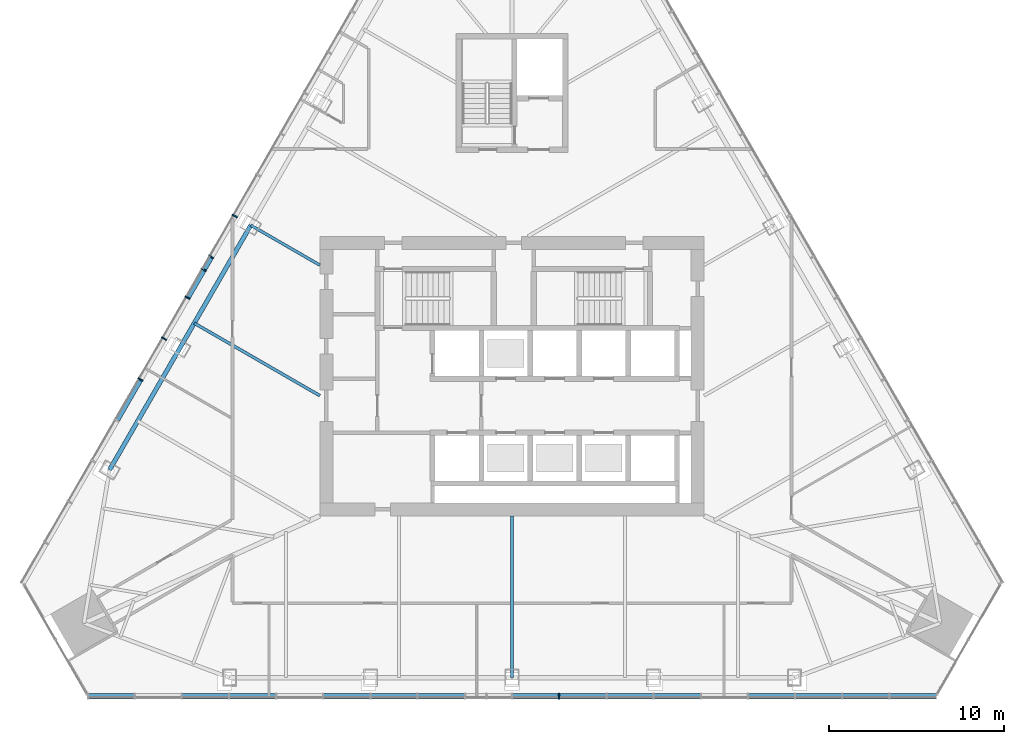
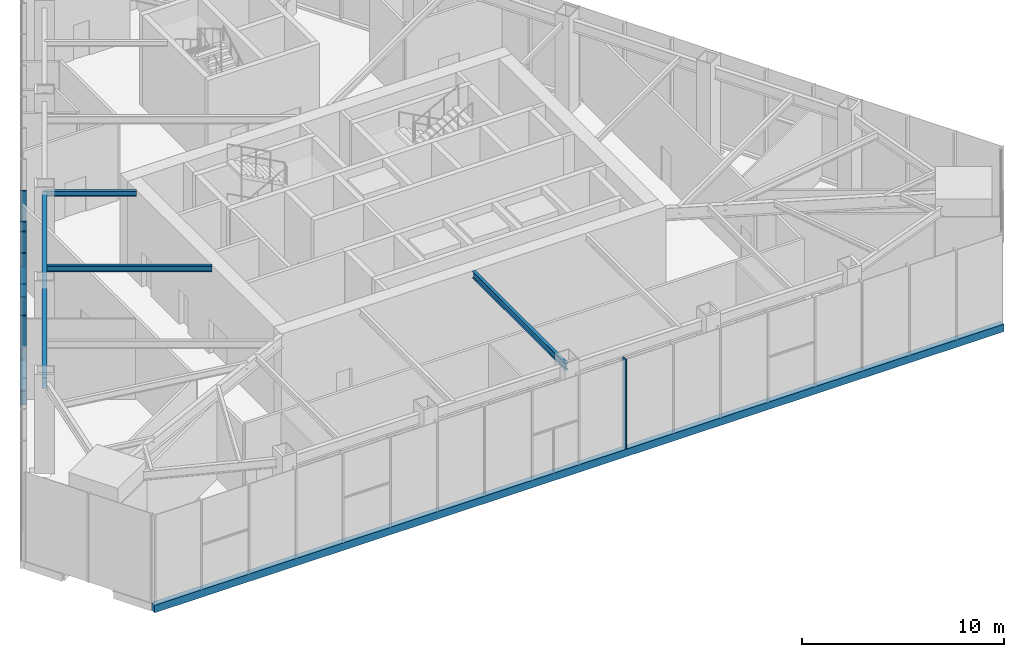
# One storey, part 3 of 16: 10 members, 4 beams, 2 elements without a shape of their own.
"""IFC4 building model written with IfcOpenShell, lengths in metres."""

import ifcopenshell
import ifcopenshell.guid

model = None  # the IFC model being written
_history = None  # IfcOwnerHistory: only IFC2X3 demands one
_inside = {}  # id of a spatial element -> (the spatial element, [elements in it])
_under = {}  # id of a project, library or spatial element -> (it, [spatial elements below it])
_declared = {}  # id of a project -> (the project, [libraries it declares])
_typed = {}  # id of a type object -> (the type object, [elements of that type])
_made_of = {}  # id of a material, layer set ... -> (it, [elements and type objects made of it])


def new_model(schema):
    """Start an empty IFC model of exactly this schema.

    Asked for "IFC4X3", IfcOpenShell would pick the latest addendum, in which some entities
    have other attributes; the version numbers below select the first issue.
    IFC2X3 requires an IfcOwnerHistory on every rooted entity: one is made here for all.
    """
    global model, _history
    if schema == "IFC4X3":
        model = ifcopenshell.file(schema_version=(4, 3, 0, 0))
    else:
        model = ifcopenshell.file(schema=schema)
    _inside.clear()
    _under.clear()
    _declared.clear()
    _typed.clear()
    _made_of.clear()
    _history = None
    if model.schema == "IFC2X3":
        org = make("IfcOrganization", Name="unknown")
        user = make(
            "IfcPersonAndOrganization",
            ThePerson=make("IfcPerson", FamilyName="unknown"),
            TheOrganization=org,
        )
        app = make(
            "IfcApplication",
            ApplicationDeveloper=org,
            Version="unknown",
            ApplicationFullName="unknown",
            ApplicationIdentifier="unknown",
        )
        _history = make(
            "IfcOwnerHistory",
            OwningUser=user,
            OwningApplication=app,
            ChangeAction="ADDED",
            CreationDate=0,
        )
    return model


def make(cls, **values):
    """One entity of the class cls with the attributes given. An attribute that is None is left unset."""
    return model.create_entity(
        cls, **{name: value for name, value in values.items() if value is not None}
    )


def rooted(cls, **values):
    """An entity with a GlobalId (a new one), such as an element, a storey or a relation."""
    return make(cls, GlobalId=ifcopenshell.guid.new(), OwnerHistory=_history, **values)


def si_unit(unit_type, name, prefix=None):
    """IfcSIUnit, for example si_unit("LENGTHUNIT", "METRE", prefix="MILLI")."""
    return make("IfcSIUnit", UnitType=unit_type, Prefix=prefix, Name=name)


def assignment(units):
    """IfcUnitAssignment: the units of a project."""
    return None if units is None else make("IfcUnitAssignment", Units=units)


def point(xyz):
    """IfcCartesianPoint."""
    return None if xyz is None else make("IfcCartesianPoint", Coordinates=xyz)


def direction(xyz):
    """IfcDirection."""
    return None if xyz is None else make("IfcDirection", DirectionRatios=xyz)


def frame(location, z_axis=None, x_axis=None):
    """IfcAxis2Placement3D, a coordinate frame: its origin and axes. An axis left out is left unset."""
    return make(
        "IfcAxis2Placement3D",
        Location=point(location),
        Axis=direction(z_axis),
        RefDirection=direction(x_axis),
    )


def frame_2d(location, x_axis=None):
    """IfcAxis2Placement2D, a coordinate frame in the plane: its origin and x axis."""
    return make(
        "IfcAxis2Placement2D", Location=point(location), RefDirection=direction(x_axis)
    )


def origin():
    """The frame at (0, 0, 0) with its axes left unset."""
    return frame((0.0, 0.0, 0.0))


def origin_2d():
    """The frame at (0, 0) in the plane with its x axis left unset."""
    return frame_2d((0.0, 0.0))


def place(relative_to, where):
    """IfcLocalPlacement: puts the frame where relative to a parent placement (None: the world)."""
    return make(
        "IfcLocalPlacement", PlacementRelTo=relative_to, RelativePlacement=where
    )


def context(
    kind, dimensions, precision=None, world=None, true_north=None, identifier=None
):
    """IfcGeometricRepresentationContext, for example the 3D "Model" context."""
    return make(
        "IfcGeometricRepresentationContext",
        ContextIdentifier=identifier,
        ContextType=kind,
        CoordinateSpaceDimension=dimensions,
        Precision=precision,
        WorldCoordinateSystem=world,
        TrueNorth=true_north,
    )


def subcontext(parent, identifier, kind, view, scale=None):
    """IfcGeometricRepresentationSubContext, for example "Body" below "Model"."""
    return make(
        "IfcGeometricRepresentationSubContext",
        ContextIdentifier=identifier,
        ContextType=kind,
        ParentContext=parent,
        TargetScale=scale,
        TargetView=view,
    )


def project(units=None, contexts=None):
    """IfcProject with its units and contexts."""
    return rooted(
        "IfcProject",
        Name="project",
        RepresentationContexts=contexts,
        UnitsInContext=assignment(units),
    )


def spatial(cls, under=None, at=None, **own):
    """A site, building, storey or space (cls), placed at a placement, below another one or the project."""
    s = rooted(cls, ObjectPlacement=at, **own)
    if under is not None:
        _under.setdefault(under.id(), (under, []))[1].append(s)
    return s


def profile(cls, at=None, kind="AREA", **sizes):
    """A parametric profile (cls). Its sizes go by their IFC names, for example OverallWidth=200.0."""
    return make(cls, ProfileType=kind, Position=at, **sizes)


def rectangle(**sizes):
    """IfcRectangleProfileDef."""
    return profile("IfcRectangleProfileDef", **sizes)


def i_section(**sizes):
    """IfcIShapeProfileDef."""
    return profile("IfcIShapeProfileDef", **sizes)


def extrude(swept, where, along, depth):
    """IfcExtrudedAreaSolid: the profile swept, set in the frame where, extruded along a direction by depth."""
    return make(
        "IfcExtrudedAreaSolid",
        SweptArea=swept,
        Position=where,
        ExtrudedDirection=direction(along),
        Depth=depth,
    )


def shape(context_of_items, identifier, shape_type, items):
    """IfcShapeRepresentation: the items that make up one representation, for example the "Body"."""
    return make(
        "IfcShapeRepresentation",
        ContextOfItems=context_of_items,
        RepresentationIdentifier=identifier,
        RepresentationType=shape_type,
        Items=items,
    )


def material(Name=None, Category=None):
    """IfcMaterial."""
    return make("IfcMaterial", Name=Name, Category=Category)


def layer(
    of_material, thickness, ventilated=None, Name=None, Category=None, Priority=None
):
    """IfcMaterialLayer: one layer of a wall or slab, of a material (None: an air gap)."""
    return make(
        "IfcMaterialLayer",
        Material=of_material,
        LayerThickness=thickness,
        IsVentilated=ventilated,
        Name=Name,
        Category=Category,
        Priority=Priority,
    )


def layer_set(layers, Name=None):
    """IfcMaterialLayerSet."""
    return make("IfcMaterialLayerSet", MaterialLayers=layers, LayerSetName=Name)


def material_profile(
    of_material, cross_section, Name=None, Category=None, Priority=None
):
    """IfcMaterialProfile: a cross section and its material."""
    return make(
        "IfcMaterialProfile",
        Name=Name,
        Material=of_material,
        Profile=cross_section,
        Priority=Priority,
        Category=Category,
    )


def profile_set(profiles, Name=None, composite=None):
    """IfcMaterialProfileSet."""
    return make(
        "IfcMaterialProfileSet",
        Name=Name,
        MaterialProfiles=profiles,
        CompositeProfile=composite,
    )


def made_of(thing, what):
    """Note that an element or type object is made of a material, layer set ...; save() writes the relation."""
    if what is not None:
        _made_of.setdefault(what.id(), (what, []))[1].append(thing)
    return thing


def type_object(cls, material=None, **own):
    """A type object (cls), such as IfcWallType, which elements share."""
    return made_of(rooted(cls, **own), material)


def element(
    cls,
    number,
    at=None,
    inside=None,
    cuts=None,
    type_object=None,
    material=None,
    context=None,
    identifier="Body",
    shape_type=None,
    held_by="IfcProductDefinitionShape",
    body=None,
    shapes=None,
    **own,
):
    """One element of the class cls, such as IfcWall. Its Tag is "e" and its number.

    at: its placement. inside: the storey or other place that contains it. cuts: it is an
    opening in that element (IfcRelVoidsElement). A single representation is given by context,
    identifier, shape_type and body (its items); several are given by shapes. held_by: the class
    of the entity that holds the representations. save() writes the other relations.
    """
    e = rooted(cls, Tag="e%d" % number, ObjectPlacement=at, **own)
    if body is not None:
        shapes = [shape(context, identifier, shape_type, body)]
    if shapes is not None:
        e.Representation = make(held_by, Representations=shapes)
    if inside is not None:
        _inside.setdefault(inside.id(), (inside, []))[1].append(e)
    if cuts is not None:
        rooted(
            "IfcRelVoidsElement", RelatingBuildingElement=cuts, RelatedOpeningElement=e
        )
    if type_object is not None:
        _typed.setdefault(type_object.id(), (type_object, []))[1].append(e)
    return made_of(e, material)


def aggregate(whole, parts):
    """IfcRelAggregates: a whole, such as a stair, and the parts it consists of."""
    return rooted("IfcRelAggregates", RelatingObject=whole, RelatedObjects=parts)


def save(model, path):
    """Write the relations noted so far, then the file.

    IfcRelAggregates (storeys below a building ...), IfcRelContainedInSpatialStructure (elements
    in a storey), IfcRelDefinesByType, IfcRelAssociatesMaterial and IfcRelDeclares: one each for
    every whole, place, type object, material and project.
    """
    for whole, parts in _under.values():
        aggregate(whole, parts)
    for where, things in _inside.values():
        rooted(
            "IfcRelContainedInSpatialStructure",
            RelatedElements=things,
            RelatingStructure=where,
        )
    for kind, things in _typed.values():
        rooted("IfcRelDefinesByType", RelatedObjects=things, RelatingType=kind)
    for what, things in _made_of.values():
        rooted("IfcRelAssociatesMaterial", RelatedObjects=things, RelatingMaterial=what)
    for by, libraries in _declared.values():
        rooted("IfcRelDeclares", RelatingContext=by, RelatedDefinitions=libraries)
    model.write(path)


model = new_model("IFC4")

# Units and contexts
model_context = context("Model", 3, precision=1e-05, world=origin(), true_north=direction((0.0, 1.0)))
body_context = subcontext(model_context, "Body", "Model", "MODEL_VIEW")
ifc_project = project(units=[si_unit("LENGTHUNIT", "METRE"), si_unit("AREAUNIT", "SQUARE_METRE"), si_unit("VOLUMEUNIT", "CUBIC_METRE"), si_unit("PLANEANGLEUNIT", "RADIAN"), si_unit("MASSUNIT", "GRAM", prefix="KILO")], contexts=[model_context])

# Site, building, storey
site_placement = place(None, origin())
site = spatial("IfcSite", under=ifc_project, at=site_placement, CompositionType="ELEMENT")
building_placement = place(site_placement, origin())
building = spatial("IfcBuilding", under=site, at=building_placement, Name="Firuza Gate Tower and Library", CompositionType="ELEMENT")
storey_placement = place(building_placement, frame((0.0, 0.0, 241.60009765625)))
storey = spatial("IfcBuildingStorey", under=building, at=storey_placement, Name="L57", CompositionType="ELEMENT", Elevation=241.60009765625)

# Curtain wall, member
ifc_material_1 = material(Name="Aluminium 6063-T6", Category="aluminium")
ifc_layer = layer(ifc_material_1, 0.14990234375)
ifc_layer_set = layer_set([ifc_layer], Name="Unitised curtain wall, hotel")
curtain_wall_type = type_object("IfcCurtainWallType", Name="Unitised curtain wall, hotel", PredefinedType="NOTDEFINED", material=ifc_layer_set)
placement = place(storey_placement, origin())
curtain_wall_1 = element("IfcCurtainWall", 1, at=placement, inside=storey, type_object=curtain_wall_type, Name="CW2 L57 S face", PredefinedType="NOTDEFINED")
ifc_material_2 = material(Name="Aluminium 6063-T6", Category="aluminium")
ifc_material_profile_1 = material_profile(ifc_material_2, rectangle(XDim=0.320068359375, YDim=0.080078125, at=origin_2d()))
ifc_profile_set_1 = profile_set([ifc_material_profile_1], Name="Aluminium 6063-T6")
member_type_1 = type_object("IfcMemberType", Name="Curtain wall mullion 80x320", PredefinedType="MULLION", material=ifc_profile_set_1)
member_1_placement = place(storey_placement, frame((77.70068359375, 56.675048828125, 0.14990234375), z_axis=(0.0, 0.0, 1.0), x_axis=(0.0, 1.0, 0.0)))
member_1 = element("IfcMember", 2, at=member_1_placement, type_object=member_type_1, Name="Mullion", PredefinedType="MULLION", context=body_context, shape_type="SweptSolid", body=[
    extrude(rectangle(XDim=0.320068359375, YDim=0.080078125, at=origin_2d()), origin(), (0.0, 0.0, 1.0), 5.39990234375),
])

# Curtain wall, members
curtain_wall_2 = element("IfcCurtainWall", 3, at=placement, inside=storey, type_object=curtain_wall_type, Name="CW2 L57 W face", PredefinedType="NOTDEFINED")
member_2_placement = place(storey_placement, frame((59.130126953125, 84.162353515625, 0.14990234375), z_axis=(0.0, 0.0, 1.0), x_axis=(0.866025403784, -0.5, 0.0)))
member_2 = element("IfcMember", 4, at=member_2_placement, type_object=member_type_1, Name="Mullion", PredefinedType="MULLION", context=body_context, shape_type="SweptSolid", body=[
    extrude(rectangle(XDim=0.320068359375, YDim=0.080078125, at=origin_2d()), origin(), (0.0, 0.0, 1.0), 5.39990234375),
])
member_3_placement = place(storey_placement, frame((57.780029296875, 81.823486328125, 0.14990234375), z_axis=(0.0, 0.0, 1.0), x_axis=(0.866025403784, -0.5, 0.0)))
member_3 = element("IfcMember", 5, at=member_3_placement, type_object=member_type_1, Name="Mullion", PredefinedType="MULLION", context=body_context, shape_type="SweptSolid", body=[
    extrude(rectangle(XDim=0.320068359375, YDim=0.080078125, at=origin_2d()), origin(), (0.0, 0.0, 1.0), 5.39990234375),
])
member_4_placement = place(storey_placement, frame((56.4296875, 79.48486328125, 0.14990234375), z_axis=(0.0, 0.0, 1.0), x_axis=(0.866025403784, -0.5, 0.0)))
member_4 = element("IfcMember", 6, at=member_4_placement, type_object=member_type_1, Name="Mullion", PredefinedType="MULLION", context=body_context, shape_type="SweptSolid", body=[
    extrude(rectangle(XDim=0.320068359375, YDim=0.080078125, at=origin_2d()), origin(), (0.0, 0.0, 1.0), 5.39990234375),
])
member_5_placement = place(storey_placement, frame((55.079345703125, 77.14599609375, 0.14990234375), z_axis=(0.0, 0.0, 1.0), x_axis=(0.866025403784, -0.5, 0.0)))
member_5 = element("IfcMember", 7, at=member_5_placement, type_object=member_type_1, Name="Mullion", PredefinedType="MULLION", context=body_context, shape_type="SweptSolid", body=[
    extrude(rectangle(XDim=0.320068359375, YDim=0.080078125, at=origin_2d()), origin(), (0.0, 0.0, 1.0), 5.39990234375),
])
member_6_placement = place(storey_placement, frame((53.72900390625, 74.80712890625, 0.14990234375), z_axis=(0.0, 0.0, 1.0), x_axis=(0.866025403784, -0.5, 0.0)))
member_6 = element("IfcMember", 8, at=member_6_placement, type_object=member_type_1, Name="Mullion", PredefinedType="MULLION", context=body_context, shape_type="SweptSolid", body=[
    extrude(rectangle(XDim=0.320068359375, YDim=0.080078125, at=origin_2d()), origin(), (0.0, 0.0, 1.0), 5.39990234375),
])
member_7_placement = place(storey_placement, frame((57.3583984375, 81.093505859375, 2.889892578125), z_axis=(0.0, 0.0, 1.0), x_axis=(0.866025403784, -0.5, 0.0)))
member_7 = element("IfcMember", 9, at=member_7_placement, type_object=member_type_1, Name="Mullion", PredefinedType="MULLION", context=body_context, shape_type="SweptSolid", body=[
    extrude(rectangle(XDim=0.320068359375, YDim=0.080078125, at=origin_2d()), origin(), (0.0, 0.0, 1.0), 2.659912109375),
])

# Member
ifc_material_3 = material(Name="Aluminium 6063-T6", Category="aluminium")
ifc_material_profile_2 = material_profile(ifc_material_3, rectangle(XDim=0.320068359375, YDim=0.449951171875, at=origin_2d()))
ifc_profile_set_2 = profile_set([ifc_material_profile_2], Name="Aluminium 6063-T6")
member_type_2 = type_object("IfcMemberType", Name="Curtain wall transom 450x320", PredefinedType="USERDEFINED", material=ifc_profile_set_2)
member_8_placement = place(storey_placement, frame((50.6943359375, 56.675048828125, -0.0751953125), z_axis=(1.0, 0.0, 0.0), x_axis=(0.0, 1.0, 0.0)))
member_8 = element("IfcMember", 10, at=member_8_placement, type_object=member_type_2, Name="Transom", ObjectType="TRANSOM", PredefinedType="USERDEFINED", context=body_context, shape_type="SweptSolid", body=[
    extrude(rectangle(XDim=0.320068359375, YDim=0.449951171875, at=origin_2d()), origin(), (0.0, 0.0, 1.0), 48.611328125),
])

aggregate(curtain_wall_1, [member_1, member_8])

ifc_material_4 = material(Name="Aluminium 6063-T6", Category="aluminium")
ifc_material_profile_3 = material_profile(ifc_material_4, rectangle(XDim=0.320068359375, YDim=0.080078125, at=origin_2d()))
ifc_profile_set_3 = profile_set([ifc_material_profile_3], Name="Aluminium 6063-T6")
member_type_3 = type_object("IfcMemberType", Name="Curtain wall transom 80x320", PredefinedType="USERDEFINED", material=ifc_profile_set_3)
member_9_placement = place(storey_placement, frame((57.760009765625, 81.7890625, 2.849853515625), z_axis=(-0.499996639036, -0.866027344229, 0.0), x_axis=(0.866027344229, -0.499996639036, 0.0)))
member_9 = element("IfcMember", 11, at=member_9_placement, type_object=member_type_3, Name="Transom", ObjectType="TRANSOM", PredefinedType="USERDEFINED", context=body_context, shape_type="SweptSolid", body=[
    extrude(rectangle(XDim=0.320068359375, YDim=0.080078125, at=origin_2d()), origin(), (0.0, 0.0, 1.0), 2.62060546875),
])

member_10_placement = place(storey_placement, frame((53.708984375, 74.7724609375, 2.849853515625), z_axis=(-0.499996639036, -0.866027344229, 0.0), x_axis=(0.866027344229, -0.499996639036, 0.0)))
member_10 = element("IfcMember", 12, at=member_10_placement, type_object=member_type_3, Name="Transom", ObjectType="TRANSOM", PredefinedType="USERDEFINED", context=body_context, shape_type="SweptSolid", body=[
    extrude(rectangle(XDim=0.320068359375, YDim=0.080078125, at=origin_2d()), origin(), (0.0, 0.0, 1.0), 2.62060546875),
])

aggregate(curtain_wall_2, [member_2, member_3, member_4, member_5, member_6, member_7, member_9, member_10])

# Beams
ifc_material_5 = material(Name="Steel S355", Category="steel")
ifc_material_profile_4 = material_profile(ifc_material_5, i_section(OverallWidth=0.1650390625, OverallDepth=0.31005859375, WebThickness=0.005859375, FlangeThickness=0.009765625, at=origin_2d()))
ifc_profile_set_4 = profile_set([ifc_material_profile_4], Name="Steel S355")
beam_type_1 = type_object("IfcBeamType", Name="W310x39 Floor beam", PredefinedType="JOIST", material=ifc_profile_set_4)
beam_1_placement = place(storey_placement, frame((60.048095703125, 83.63232421875, 5.39501953125), z_axis=(0.866038581096, -0.499977175532, 0.0), x_axis=(0.499977175532, 0.866038581096, 0.0)))
element("IfcBeam", 13, at=beam_1_placement, inside=storey, type_object=beam_type_1, Name="Floor beam L57 s82", PredefinedType="JOIST", context=body_context, shape_type="SweptSolid", body=[
    extrude(i_section(OverallWidth=0.1650390625, OverallDepth=0.31005859375, WebThickness=0.005859375, FlangeThickness=0.009765625, at=origin_2d()), origin(), (0.0, 0.0, 1.0), 4.563232421875),
])
ifc_material_6 = material(Name="Steel S355", Category="steel")
ifc_material_profile_5 = material_profile(ifc_material_6, i_section(OverallWidth=0.1708984375, OverallDepth=0.35498046875, WebThickness=0.007080078125, FlangeThickness=0.01171875, at=origin_2d()))
ifc_profile_set_5 = profile_set([ifc_material_profile_5], Name="Steel S355")
beam_type_2 = type_object("IfcBeamType", Name="W360x51 Floor beam", PredefinedType="JOIST", material=ifc_profile_set_5)
beam_2_placement = place(storey_placement, frame((56.813232421875, 78.029296875, 5.372314453125), z_axis=(0.866018523056, -0.500011917582, 0.0), x_axis=(0.500011917582, 0.866018523056, 0.0)))
element("IfcBeam", 14, at=beam_2_placement, inside=storey, type_object=beam_type_2, Name="Floor beam L57 s83", PredefinedType="JOIST", context=body_context, shape_type="SweptSolid", body=[
    extrude(i_section(OverallWidth=0.1708984375, OverallDepth=0.35498046875, WebThickness=0.007080078125, FlangeThickness=0.01171875, at=origin_2d()), origin(), (0.0, 0.0, 1.0), 8.298583984375),
])
ifc_material_7 = material(Name="Steel S355", Category="steel")
ifc_material_profile_6 = material_profile(ifc_material_7, i_section(OverallWidth=0.177978515625, OverallDepth=0.406982421875, WebThickness=0.0078125, FlangeThickness=0.0126953125, at=origin_2d()))
ifc_profile_set_6 = profile_set([ifc_material_profile_6], Name="Steel S355")
beam_type_3 = type_object("IfcBeamType", Name="W410x60 Floor beam", PredefinedType="JOIST", material=ifc_profile_set_6)
beam_3_placement = place(storey_placement, frame((75.0, 57.735107421875, 5.346435546875), z_axis=(0.0, 1.0, 0.0), x_axis=(-1.0, 0.0, 0.0)))
element("IfcBeam", 15, at=beam_3_placement, inside=storey, type_object=beam_type_3, Name="Floor beam L57 s22", PredefinedType="JOIST", context=body_context, shape_type="SweptSolid", body=[
    extrude(i_section(OverallWidth=0.177978515625, OverallDepth=0.406982421875, WebThickness=0.0078125, FlangeThickness=0.0126953125, at=origin_2d()), origin(), (0.0, 0.0, 1.0), 9.264892578125),
])
ifc_material_8 = material(Name="Steel S355", Category="steel")
ifc_material_profile_7 = material_profile(ifc_material_8, i_section(OverallWidth=0.2529296875, OverallDepth=0.677978515625, WebThickness=0.01171875, FlangeThickness=0.016357421875, at=origin_2d()))
ifc_profile_set_7 = profile_set([ifc_material_profile_7], Name="Steel S355")
beam_type_4 = type_object("IfcBeamType", Name="W690x125 Edge beam", PredefinedType="SPANDREL", material=ifc_profile_set_7)
beam_4_placement = place(storey_placement, frame((60.048095703125, 83.63232421875, 5.2109375), z_axis=(-0.499999444791, -0.866025724335, 0.0), x_axis=(0.866025724335, -0.499999444791, 0.0)))
element("IfcBeam", 16, at=beam_4_placement, inside=storey, type_object=beam_type_4, Name="Edge beam L57 e82", PredefinedType="SPANDREL", context=body_context, shape_type="SweptSolid", body=[
    extrude(i_section(OverallWidth=0.2529296875, OverallDepth=0.677978515625, WebThickness=0.01171875, FlangeThickness=0.016357421875, at=origin_2d()), origin(), (0.0, 0.0, 1.0), 16.1748046875),
])

save(model, "model.ifc")
